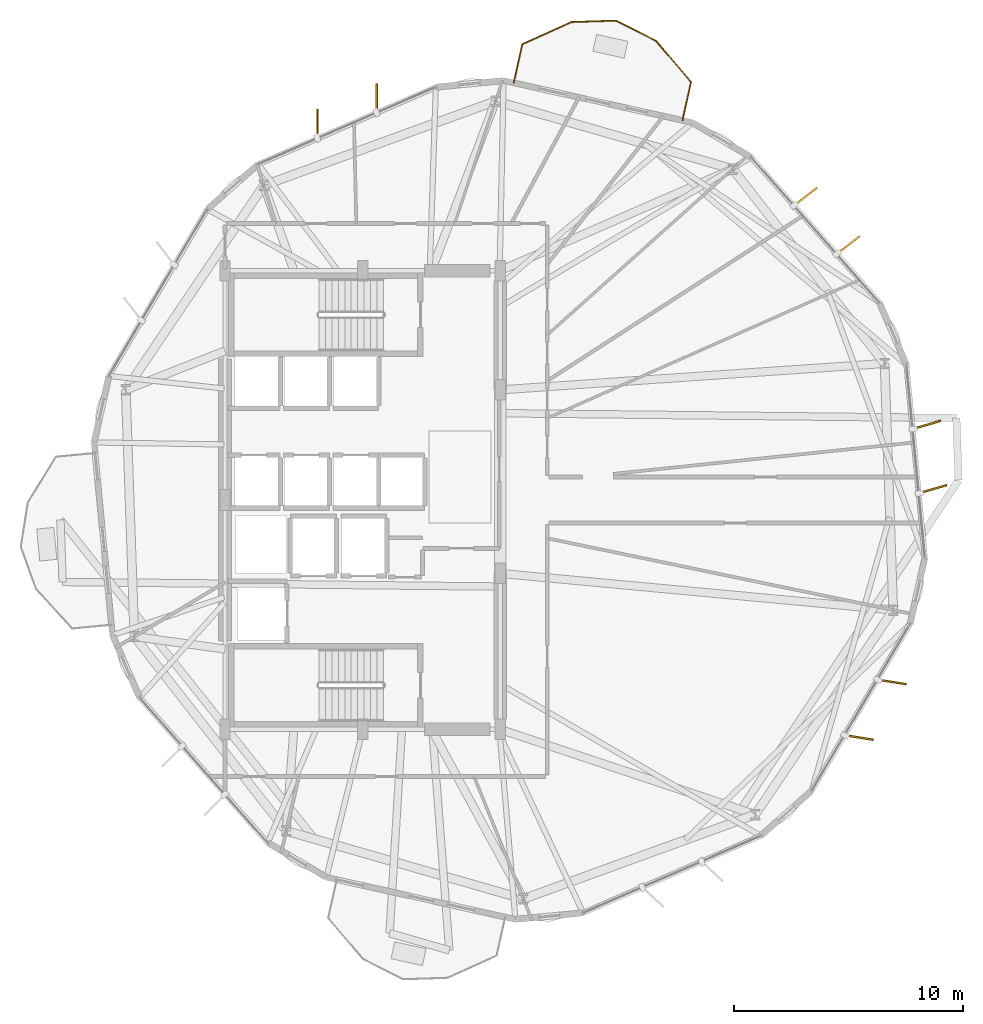
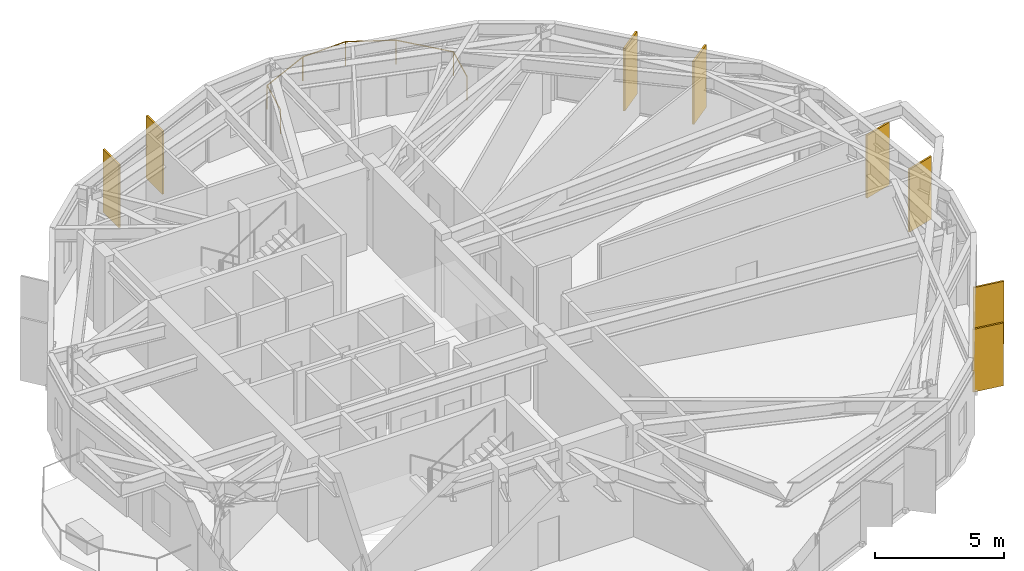
# One storey, part 23 of 23: 8 shading devices, 1 railing.
"""IFC4 building model written with IfcOpenShell, lengths in metres."""

from ifc_helpers import new_model, si_unit, direction, frame, origin, origin_2d, place, context, subcontext, project, spatial, rectangle, circle, extrude, material, layer, layer_set, type_object, element, save


model = new_model("IFC4")

# Units and contexts
model_context = context("Model", 3, precision=1e-05, world=origin(), true_north=direction((0.0, 1.0)))
body_context = subcontext(model_context, "Body", "Model", "MODEL_VIEW")
ifc_project = project(units=[si_unit("LENGTHUNIT", "METRE"), si_unit("AREAUNIT", "SQUARE_METRE"), si_unit("VOLUMEUNIT", "CUBIC_METRE"), si_unit("PLANEANGLEUNIT", "RADIAN"), si_unit("MASSUNIT", "GRAM", prefix="KILO")], contexts=[model_context])

# Site, building, storey
site_placement = place(None, origin())
site = spatial("IfcSite", under=ifc_project, at=site_placement, CompositionType="ELEMENT")
building_placement = place(site_placement, origin())
building = spatial("IfcBuilding", under=site, at=building_placement, Name="Soratama Intermodal Tower", CompositionType="ELEMENT")
storey_placement = place(building_placement, frame((0.0, 0.0, 118.60009765625)))
storey = spatial("IfcBuildingStorey", under=building, at=storey_placement, Name="L28", CompositionType="ELEMENT", Elevation=118.60009765625)

# Railing
ifc_material_1 = material(Name="Laminated glass and stainless steel balustrade", Category="steel")
railing_type = type_object("IfcRailingType", Name="RL-BAL-1150", PredefinedType="BALUSTRADE", material=ifc_material_1)
railing_placement = place(storey_placement, frame((45.181884765625, 43.18408203125, 0.0)))
element("IfcRailing", 1, at=railing_placement, inside=storey, type_object=railing_type, Name="L28 Balcony Balustrade 1", PredefinedType="BALUSTRADE", context=body_context, shape_type="SweptSolid", body=[
    extrude(circle(Radius=0.02392578125, at=origin_2d()), frame((0.0, 0.0, 1.1259765625), z_axis=(0.217170917305, 0.976133593663, 0.0), x_axis=(-0.976133593663, 0.217170917305, 0.0)), (0.0, 0.0, 1.0), 1.719970703125),
    extrude(circle(Radius=0.02392578125, at=origin_2d()), frame((0.37353515625, 1.678955078125, 1.1259765625), z_axis=(0.910996765811, 0.41241349721, 0.0), x_axis=(-0.41241349721, 0.910996765811, 0.0)), (0.0, 0.0, 1.0), 2.357177734375),
    extrude(circle(Radius=0.02392578125, at=origin_2d()), frame((2.52099609375, 2.651123046875, 1.1259765625), z_axis=(0.999464087187, 0.032734361495, 0.0), x_axis=(-0.032734361495, 0.999464087187, 0.0)), (0.0, 0.0, 1.0), 1.946533203125),
    extrude(circle(Radius=0.02392578125, at=origin_2d()), frame((4.466552734375, 2.71484375, 1.1259765625), z_axis=(0.8913713881, -0.453273701505, 0.0), x_axis=(0.453273701505, 0.8913713881, 0.0)), (0.0, 0.0, 1.0), 1.946533203125),
    extrude(circle(Radius=0.02392578125, at=origin_2d()), frame((6.20166015625, 1.83251953125, 1.1259765625), z_axis=(0.650313682032, -0.759665791623, 0.0), x_axis=(0.759665791623, 0.650313682032, 0.0)), (0.0, 0.0, 1.0), 2.357666015625),
    extrude(circle(Radius=0.02392578125, at=origin_2d()), frame((7.73486328125, 0.04150390625, 1.1259765625), z_axis=(-0.217170917305, -0.976133593663, 0.0), x_axis=(0.976133593663, -0.217170917305, 0.0)), (0.0, 0.0, 1.0), 1.719970703125),
    extrude(circle(Radius=0.02099609375, at=origin_2d()), origin(), (0.0, 0.0, 1.0), 1.101806640625),
    extrude(circle(Radius=0.02099609375, at=origin_2d()), frame((0.37353515625, 1.678955078125, 0.0)), (0.0, 0.0, 1.0), 1.101806640625),
    extrude(circle(Radius=0.02099609375, at=origin_2d()), frame((2.52099609375, 2.651123046875, 0.0)), (0.0, 0.0, 1.0), 1.101806640625),
    extrude(circle(Radius=0.02099609375, at=origin_2d()), frame((4.466552734375, 2.71484375, 0.0)), (0.0, 0.0, 1.0), 1.101806640625),
    extrude(circle(Radius=0.02099609375, at=origin_2d()), frame((6.20166015625, 1.83251953125, 0.0)), (0.0, 0.0, 1.0), 1.101806640625),
    extrude(circle(Radius=0.02099609375, at=origin_2d()), frame((7.73486328125, 0.04150390625, 0.0)), (0.0, 0.0, 1.0), 1.101806640625),
    extrude(circle(Radius=0.02099609375, at=origin_2d()), frame((7.361328125, -1.637451171875, 0.0)), (0.0, 0.0, 1.0), 1.101806640625),
])

# Shading devices
ifc_material_2 = material(Name="Champagne anodised aluminium solar fin", Category="aluminium")
ifc_layer = layer(ifc_material_2, 0.080078125)
ifc_layer_set = layer_set([ifc_layer], Name="Champagne anodised aluminium solar fin")
shading_device_type = type_object("IfcShadingDeviceType", Name="SH-FIN-1250", PredefinedType="USERDEFINED", material=ifc_layer_set)
for number, where, z_axis, x_axis, name in (
    (2, (59.773681640625, 36.11865234375, 0.02001953125), (0.0, 0.0, 1.0), (0.791116789314, 0.611665125429, 0.0), "L28 Solar Fin F01-1"),
    (3, (57.910888671875, 38.227294921875, 0.02001953125), (0.0, 0.0, 1.0), (0.791116789314, 0.611665125429, 0.0), "L28 Solar Fin F01-2"),
    (4, (39.2109375, 42.5244140625, 0.02001953125), (0.0, 0.0, 1.0), (0.004188777955, 0.999991227031, 0.0), "L28 Solar Fin F03-1"),
    (5, (36.6298828125, 41.404296875, 0.02001953125), (0.0, 0.0, 1.0), (0.004188777955, 0.999991227031, 0.0), "L28 Solar Fin F03-2"),
    (6, (60.243896484375, 14.64599609375, 0.02001953125), (0.0, 0.0, 1.0), (0.98724764263, -0.159191997666, 0.0), "L28 Solar Fin F09-1"),
    (7, (61.673583984375, 17.0693359375, 0.02001953125), (0.0, 0.0, 1.0), (0.98724764263, -0.159191997666, 0.0), "L28 Solar Fin F09-2"),
    (8, (63.4619140625, 25.473876953125, 0.02001953125), (0.0, 0.0, 1.0), (0.959510852267, 0.281671660596, 0.0), "L28 Solar Fin F10-1"),
    (9, (63.194091796875, 28.27490234375, 0.02001953125), (0.0, 0.0, 1.0), (0.959510852267, 0.281671660596, 0.0), "L28 Solar Fin F10-2"),
):
    element("IfcShadingDevice", number, at=place(storey_placement, frame(where, z_axis=z_axis, x_axis=x_axis)), inside=storey, type_object=shading_device_type, Name=name, ObjectType="FIN", PredefinedType="USERDEFINED", context=body_context, shape_type="SweptSolid", body=[
        extrude(rectangle(XDim=1.25, YDim=0.080078125, at=origin_2d()), origin(), (0.0, 0.0, 1.0), 2.958984375),
    ])

save(model, "model.ifc")
